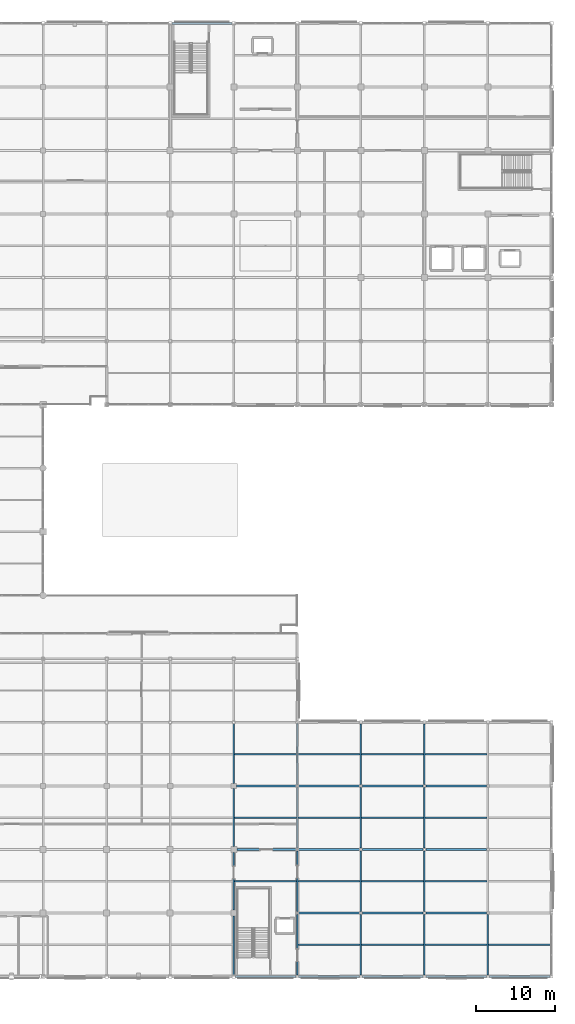
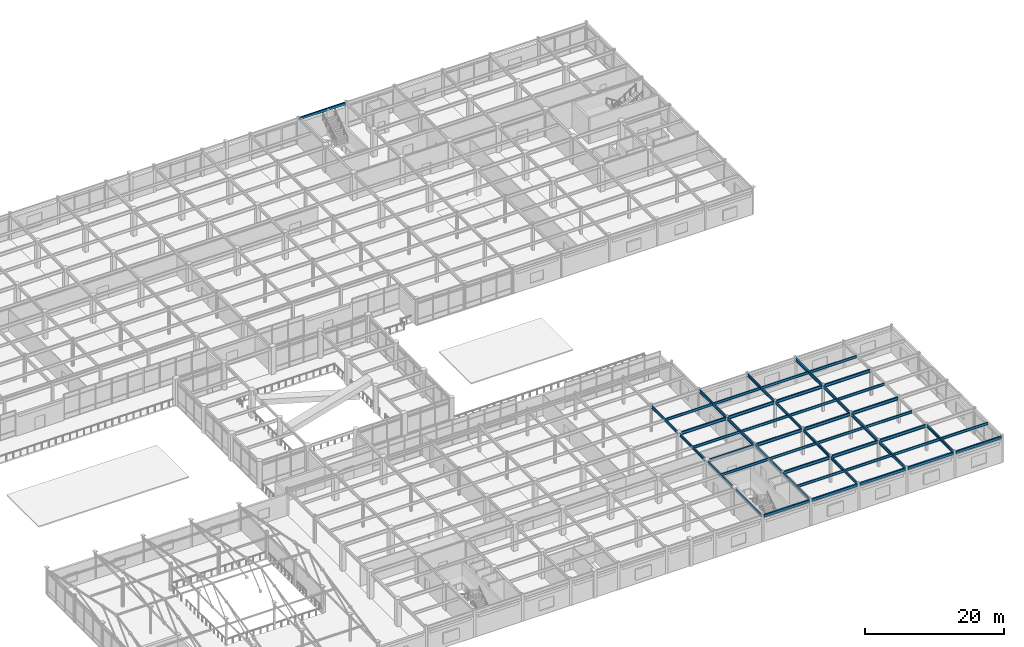
# One storey, part 67 of 117: 50 beams.
"""IFC4 building model written with IfcOpenShell, lengths in metres."""

import ifcopenshell
import ifcopenshell.guid

model = None  # the IFC model being written
_history = None  # IfcOwnerHistory: only IFC2X3 demands one
_inside = {}  # id of a spatial element -> (the spatial element, [elements in it])
_under = {}  # id of a project, library or spatial element -> (it, [spatial elements below it])
_declared = {}  # id of a project -> (the project, [libraries it declares])
_typed = {}  # id of a type object -> (the type object, [elements of that type])
_made_of = {}  # id of a material, layer set ... -> (it, [elements and type objects made of it])


def new_model(schema):
    """Start an empty IFC model of exactly this schema.

    Asked for "IFC4X3", IfcOpenShell would pick the latest addendum, in which some entities
    have other attributes; the version numbers below select the first issue.
    IFC2X3 requires an IfcOwnerHistory on every rooted entity: one is made here for all.
    """
    global model, _history
    if schema == "IFC4X3":
        model = ifcopenshell.file(schema_version=(4, 3, 0, 0))
    else:
        model = ifcopenshell.file(schema=schema)
    _inside.clear()
    _under.clear()
    _declared.clear()
    _typed.clear()
    _made_of.clear()
    _history = None
    if model.schema == "IFC2X3":
        org = make("IfcOrganization", Name="unknown")
        user = make(
            "IfcPersonAndOrganization",
            ThePerson=make("IfcPerson", FamilyName="unknown"),
            TheOrganization=org,
        )
        app = make(
            "IfcApplication",
            ApplicationDeveloper=org,
            Version="unknown",
            ApplicationFullName="unknown",
            ApplicationIdentifier="unknown",
        )
        _history = make(
            "IfcOwnerHistory",
            OwningUser=user,
            OwningApplication=app,
            ChangeAction="ADDED",
            CreationDate=0,
        )
    return model


def make(cls, **values):
    """One entity of the class cls with the attributes given. An attribute that is None is left unset."""
    return model.create_entity(
        cls, **{name: value for name, value in values.items() if value is not None}
    )


def rooted(cls, **values):
    """An entity with a GlobalId (a new one), such as an element, a storey or a relation."""
    return make(cls, GlobalId=ifcopenshell.guid.new(), OwnerHistory=_history, **values)


def si_unit(unit_type, name, prefix=None):
    """IfcSIUnit, for example si_unit("LENGTHUNIT", "METRE", prefix="MILLI")."""
    return make("IfcSIUnit", UnitType=unit_type, Prefix=prefix, Name=name)


def assignment(units):
    """IfcUnitAssignment: the units of a project."""
    return None if units is None else make("IfcUnitAssignment", Units=units)


def point(xyz):
    """IfcCartesianPoint."""
    return None if xyz is None else make("IfcCartesianPoint", Coordinates=xyz)


def direction(xyz):
    """IfcDirection."""
    return None if xyz is None else make("IfcDirection", DirectionRatios=xyz)


def frame(location, z_axis=None, x_axis=None):
    """IfcAxis2Placement3D, a coordinate frame: its origin and axes. An axis left out is left unset."""
    return make(
        "IfcAxis2Placement3D",
        Location=point(location),
        Axis=direction(z_axis),
        RefDirection=direction(x_axis),
    )


def frame_2d(location, x_axis=None):
    """IfcAxis2Placement2D, a coordinate frame in the plane: its origin and x axis."""
    return make(
        "IfcAxis2Placement2D", Location=point(location), RefDirection=direction(x_axis)
    )


def origin():
    """The frame at (0, 0, 0) with its axes left unset."""
    return frame((0.0, 0.0, 0.0))


def origin_2d():
    """The frame at (0, 0) in the plane with its x axis left unset."""
    return frame_2d((0.0, 0.0))


def place(relative_to, where):
    """IfcLocalPlacement: puts the frame where relative to a parent placement (None: the world)."""
    return make(
        "IfcLocalPlacement", PlacementRelTo=relative_to, RelativePlacement=where
    )


def context(
    kind, dimensions, precision=None, world=None, true_north=None, identifier=None
):
    """IfcGeometricRepresentationContext, for example the 3D "Model" context."""
    return make(
        "IfcGeometricRepresentationContext",
        ContextIdentifier=identifier,
        ContextType=kind,
        CoordinateSpaceDimension=dimensions,
        Precision=precision,
        WorldCoordinateSystem=world,
        TrueNorth=true_north,
    )


def subcontext(parent, identifier, kind, view, scale=None):
    """IfcGeometricRepresentationSubContext, for example "Body" below "Model"."""
    return make(
        "IfcGeometricRepresentationSubContext",
        ContextIdentifier=identifier,
        ContextType=kind,
        ParentContext=parent,
        TargetScale=scale,
        TargetView=view,
    )


def project(units=None, contexts=None):
    """IfcProject with its units and contexts."""
    return rooted(
        "IfcProject",
        Name="project",
        RepresentationContexts=contexts,
        UnitsInContext=assignment(units),
    )


def spatial(cls, under=None, at=None, **own):
    """A site, building, storey or space (cls), placed at a placement, below another one or the project."""
    s = rooted(cls, ObjectPlacement=at, **own)
    if under is not None:
        _under.setdefault(under.id(), (under, []))[1].append(s)
    return s


def profile(cls, at=None, kind="AREA", **sizes):
    """A parametric profile (cls). Its sizes go by their IFC names, for example OverallWidth=200.0."""
    return make(cls, ProfileType=kind, Position=at, **sizes)


def hollow_rectangle(**sizes):
    """IfcRectangleHollowProfileDef."""
    return profile("IfcRectangleHollowProfileDef", **sizes)


def i_section(**sizes):
    """IfcIShapeProfileDef."""
    return profile("IfcIShapeProfileDef", **sizes)


def extrude(swept, where, along, depth):
    """IfcExtrudedAreaSolid: the profile swept, set in the frame where, extruded along a direction by depth."""
    return make(
        "IfcExtrudedAreaSolid",
        SweptArea=swept,
        Position=where,
        ExtrudedDirection=direction(along),
        Depth=depth,
    )


def shape(context_of_items, identifier, shape_type, items):
    """IfcShapeRepresentation: the items that make up one representation, for example the "Body"."""
    return make(
        "IfcShapeRepresentation",
        ContextOfItems=context_of_items,
        RepresentationIdentifier=identifier,
        RepresentationType=shape_type,
        Items=items,
    )


def material(Name=None, Category=None):
    """IfcMaterial."""
    return make("IfcMaterial", Name=Name, Category=Category)


def material_profile(
    of_material, cross_section, Name=None, Category=None, Priority=None
):
    """IfcMaterialProfile: a cross section and its material."""
    return make(
        "IfcMaterialProfile",
        Name=Name,
        Material=of_material,
        Profile=cross_section,
        Priority=Priority,
        Category=Category,
    )


def profile_set(profiles, Name=None, composite=None):
    """IfcMaterialProfileSet."""
    return make(
        "IfcMaterialProfileSet",
        Name=Name,
        MaterialProfiles=profiles,
        CompositeProfile=composite,
    )


def made_of(thing, what):
    """Note that an element or type object is made of a material, layer set ...; save() writes the relation."""
    if what is not None:
        _made_of.setdefault(what.id(), (what, []))[1].append(thing)
    return thing


def type_object(cls, material=None, **own):
    """A type object (cls), such as IfcWallType, which elements share."""
    return made_of(rooted(cls, **own), material)


def element(
    cls,
    number,
    at=None,
    inside=None,
    cuts=None,
    type_object=None,
    material=None,
    context=None,
    identifier="Body",
    shape_type=None,
    held_by="IfcProductDefinitionShape",
    body=None,
    shapes=None,
    **own,
):
    """One element of the class cls, such as IfcWall. Its Tag is "e" and its number.

    at: its placement. inside: the storey or other place that contains it. cuts: it is an
    opening in that element (IfcRelVoidsElement). A single representation is given by context,
    identifier, shape_type and body (its items); several are given by shapes. held_by: the class
    of the entity that holds the representations. save() writes the other relations.
    """
    e = rooted(cls, Tag="e%d" % number, ObjectPlacement=at, **own)
    if body is not None:
        shapes = [shape(context, identifier, shape_type, body)]
    if shapes is not None:
        e.Representation = make(held_by, Representations=shapes)
    if inside is not None:
        _inside.setdefault(inside.id(), (inside, []))[1].append(e)
    if cuts is not None:
        rooted(
            "IfcRelVoidsElement", RelatingBuildingElement=cuts, RelatedOpeningElement=e
        )
    if type_object is not None:
        _typed.setdefault(type_object.id(), (type_object, []))[1].append(e)
    return made_of(e, material)


def aggregate(whole, parts):
    """IfcRelAggregates: a whole, such as a stair, and the parts it consists of."""
    return rooted("IfcRelAggregates", RelatingObject=whole, RelatedObjects=parts)


def save(model, path):
    """Write the relations noted so far, then the file.

    IfcRelAggregates (storeys below a building ...), IfcRelContainedInSpatialStructure (elements
    in a storey), IfcRelDefinesByType, IfcRelAssociatesMaterial and IfcRelDeclares: one each for
    every whole, place, type object, material and project.
    """
    for whole, parts in _under.values():
        aggregate(whole, parts)
    for where, things in _inside.values():
        rooted(
            "IfcRelContainedInSpatialStructure",
            RelatedElements=things,
            RelatingStructure=where,
        )
    for kind, things in _typed.values():
        rooted("IfcRelDefinesByType", RelatedObjects=things, RelatingType=kind)
    for what, things in _made_of.values():
        rooted("IfcRelAssociatesMaterial", RelatedObjects=things, RelatingMaterial=what)
    for by, libraries in _declared.values():
        rooted("IfcRelDeclares", RelatingContext=by, RelatedDefinitions=libraries)
    model.write(path)


model = new_model("IFC4")

# Units and contexts
model_context = context("Model", 3, precision=1e-05, world=origin(), true_north=direction((0.0, 1.0)))
body_context = subcontext(model_context, "Body", "Model", "MODEL_VIEW")
ifc_project = project(units=[si_unit("LENGTHUNIT", "METRE"), si_unit("AREAUNIT", "SQUARE_METRE"), si_unit("VOLUMEUNIT", "CUBIC_METRE"), si_unit("PLANEANGLEUNIT", "RADIAN"), si_unit("MASSUNIT", "GRAM", prefix="KILO")], contexts=[model_context])

# Site, building, storey
site_placement = place(None, origin())
site = spatial("IfcSite", under=ifc_project, at=site_placement, CompositionType="ELEMENT")
building_placement = place(site_placement, origin())
building = spatial("IfcBuilding", under=site, at=building_placement, Name="Solmirada Galleria", CompositionType="ELEMENT")
storey_placement = place(building_placement, frame((0.0, 0.0, 5.60009765625)))
storey = spatial("IfcBuildingStorey", under=building, at=storey_placement, Name="L01", CompositionType="ELEMENT", Elevation=5.60009765625)

# Beams
ifc_material_1 = material(Name="Steel S355 / ASTM A992 Grade 50", Category="steel")
ifc_material_profile_1 = material_profile(ifc_material_1, i_section(OverallWidth=0.194091796875, OverallDepth=0.468994140625, WebThickness=0.0126953125, FlangeThickness=0.0205078125, FilletRadius=0.013916015625, at=origin_2d()), Name="W18X71")
ifc_profile_set_1 = profile_set([ifc_material_profile_1], Name="Steel S355 / ASTM A992 Grade 50")
beam_type_1 = type_object("IfcBeamType", Name="BM-GIRD-W18B", PredefinedType="BEAM", material=ifc_profile_set_1)
beam_1_placement = place(storey_placement, frame((136.0, 0.202880859375, 4.365478515625), z_axis=(0.0, 1.0, 0.0), x_axis=(-1.0, 0.0, 0.0)))
element("IfcBeam", 1, at=beam_1_placement, inside=storey, type_object=beam_type_1, Name="Primary girder L02 Y(136, 0..8)", PredefinedType="BEAM", context=body_context, shape_type="SweptSolid", body=[
    extrude(i_section(OverallWidth=0.194091796875, OverallDepth=0.468994140625, WebThickness=0.0126953125, FlangeThickness=0.0205078125, FilletRadius=0.013916015625, at=origin_2d()), origin(), (0.0, 0.0, 1.0), 7.422119140625),
])
beam_2_placement = place(storey_placement, frame((136.0, 8.375, 4.365478515625), z_axis=(0.0, 1.0, 0.0), x_axis=(-1.0, 0.0, 0.0)))
element("IfcBeam", 2, at=beam_2_placement, inside=storey, type_object=beam_type_1, Name="Primary girder L02 Y(136, 8..16)", PredefinedType="BEAM", context=body_context, shape_type="SweptSolid", body=[
    extrude(i_section(OverallWidth=0.194091796875, OverallDepth=0.468994140625, WebThickness=0.0126953125, FlangeThickness=0.0205078125, FilletRadius=0.013916015625, at=origin_2d()), origin(), (0.0, 0.0, 1.0), 7.25),
])
beam_3_placement = place(storey_placement, frame((136.0, 16.375, 4.365478515625), z_axis=(0.0, 1.0, 0.0), x_axis=(-1.0, 0.0, 0.0)))
element("IfcBeam", 3, at=beam_3_placement, inside=storey, type_object=beam_type_1, Name="Primary girder L02 Y(136, 16..24)", PredefinedType="BEAM", context=body_context, shape_type="SweptSolid", body=[
    extrude(i_section(OverallWidth=0.194091796875, OverallDepth=0.468994140625, WebThickness=0.0126953125, FlangeThickness=0.0205078125, FilletRadius=0.013916015625, at=origin_2d()), origin(), (0.0, 0.0, 1.0), 7.300048828125),
])
beam_4_placement = place(storey_placement, frame((136.0, 24.324951171875, 4.365478515625), z_axis=(0.0, 1.0, 0.0), x_axis=(-1.0, 0.0, 0.0)))
element("IfcBeam", 4, at=beam_4_placement, inside=storey, type_object=beam_type_1, Name="Primary girder L02 Y(136, 24..32)", PredefinedType="BEAM", context=body_context, shape_type="SweptSolid", body=[
    extrude(i_section(OverallWidth=0.194091796875, OverallDepth=0.468994140625, WebThickness=0.0126953125, FlangeThickness=0.0205078125, FilletRadius=0.013916015625, at=origin_2d()), origin(), (0.0, 0.0, 1.0), 7.504638671875),
])
for number, where, z_axis, x_axis, name in (
    (5, (152.0, 0.177978515625, 4.365478515625), (0.0, 1.0, 0.0), (-1.0, 0.0, 0.0), "Primary girder L02 Y(152, 0..8)"),
    (6, (152.0, 8.177978515625, 4.365478515625), (0.0, 1.0, 0.0), (-1.0, 0.0, 0.0), "Primary girder L02 Y(152, 8..16)"),
    (7, (152.0, 16.177978515625, 4.365478515625), (0.0, 1.0, 0.0), (-1.0, 0.0, 0.0), "Primary girder L02 Y(152, 16..24)"),
    (8, (152.0, 24.177978515625, 4.365478515625), (0.0, 1.0, 0.0), (-1.0, 0.0, 0.0), "Primary girder L02 Y(152, 24..32)"),
    (9, (168.0, 0.177978515625, 4.365478515625), (0.0, 1.0, 0.0), (-1.0, 0.0, 0.0), "Primary girder L02 Y(168, 0..8)"),
):
    element("IfcBeam", number, at=place(storey_placement, frame(where, z_axis=z_axis, x_axis=x_axis)), inside=storey, type_object=beam_type_1, Name=name, PredefinedType="BEAM", context=body_context, shape_type="SweptSolid", body=[
        extrude(i_section(OverallWidth=0.194091796875, OverallDepth=0.468994140625, WebThickness=0.0126953125, FlangeThickness=0.0205078125, FilletRadius=0.013916015625, at=origin_2d()), origin(), (0.0, 0.0, 1.0), 7.64404296875),
    ])
ifc_material_profile_2 = material_profile(ifc_material_1, i_section(OverallWidth=0.214111328125, OverallDepth=0.549072265625, WebThickness=0.0146484375, FlangeThickness=0.023681640625, FilletRadius=0.014892578125, at=origin_2d()), Name="W21X93")
ifc_profile_set_2 = profile_set([ifc_material_profile_2], Name="Steel S355 / ASTM A992 Grade 50")
beam_type_2 = type_object("IfcBeamType", Name="BM-GIRD-W21A", PredefinedType="BEAM", material=ifc_profile_set_2)
beam_5_placement = place(storey_placement, frame((136.375, 16.0, 4.325439453125), z_axis=(1.0, 0.0, 0.0), x_axis=(0.0, 1.0, 0.0)))
element("IfcBeam", 10, at=beam_5_placement, inside=storey, type_object=beam_type_2, Name="Primary beam L02 X(136..144, 16)", PredefinedType="BEAM", context=body_context, shape_type="SweptSolid", body=[
    extrude(i_section(OverallWidth=0.214111328125, OverallDepth=0.549072265625, WebThickness=0.0146484375, FlangeThickness=0.023681640625, FilletRadius=0.014892578125, at=origin_2d()), origin(), (0.0, 0.0, 1.0), 7.447021484375),
])
for number, where, z_axis, x_axis, name in (
    (11, (144.177978515625, 16.0, 4.325439453125), (1.0, 0.0, 0.0), (0.0, 1.0, 0.0), "Primary beam L02 X(144..152, 16)"),
    (12, (152.177978515625, 16.0, 4.325439453125), (1.0, 0.0, 0.0), (0.0, 1.0, 0.0), "Primary beam L02 X(152..160, 16)"),
    (13, (160.177978515625, 16.0, 4.325439453125), (1.0, 0.0, 0.0), (0.0, 1.0, 0.0), "Primary beam L02 X(160..168, 16)"),
):
    element("IfcBeam", number, at=place(storey_placement, frame(where, z_axis=z_axis, x_axis=x_axis)), inside=storey, type_object=beam_type_2, Name=name, PredefinedType="BEAM", context=body_context, shape_type="SweptSolid", body=[
        extrude(i_section(OverallWidth=0.214111328125, OverallDepth=0.549072265625, WebThickness=0.0146484375, FlangeThickness=0.023681640625, FilletRadius=0.014892578125, at=origin_2d()), origin(), (0.0, 0.0, 1.0), 7.64404296875),
    ])
ifc_material_profile_3 = material_profile(ifc_material_1, i_section(OverallWidth=0.2099609375, OverallDepth=0.537109375, WebThickness=0.010986328125, FlangeThickness=0.017333984375, FilletRadius=0.014892578125, at=origin_2d()), Name="W21X68")
ifc_profile_set_3 = profile_set([ifc_material_profile_3], Name="Steel S355 / ASTM A992 Grade 50")
beam_type_3 = type_object("IfcBeamType", Name="BM-GIRD-W21B", PredefinedType="BEAM", material=ifc_profile_set_3)
beam_6_placement = place(storey_placement, frame((136.324951171875, 24.0, 4.331298828125), z_axis=(1.0, 0.0, 0.0), x_axis=(0.0, 1.0, 0.0)))
element("IfcBeam", 14, at=beam_6_placement, inside=storey, type_object=beam_type_3, Name="Primary beam L02 X(136..144, 24)", PredefinedType="BEAM", context=body_context, shape_type="SweptSolid", body=[
    extrude(i_section(OverallWidth=0.2099609375, OverallDepth=0.537109375, WebThickness=0.010986328125, FlangeThickness=0.017333984375, FilletRadius=0.014892578125, at=origin_2d()), origin(), (0.0, 0.0, 1.0), 7.4970703125),
])
for number, where, z_axis, x_axis, name in (
    (15, (144.177978515625, 8.0, 4.331298828125), (1.0, 0.0, 0.0), (0.0, 1.0, 0.0), "Primary beam L02 X(144..152, 8)"),
    (16, (144.177978515625, 24.0, 4.331298828125), (1.0, 0.0, 0.0), (0.0, 1.0, 0.0), "Primary beam L02 X(144..152, 24)"),
    (17, (152.177978515625, 8.0, 4.331298828125), (1.0, 0.0, 0.0), (0.0, 1.0, 0.0), "Primary beam L02 X(152..160, 8)"),
    (18, (152.177978515625, 24.0, 4.331298828125), (1.0, 0.0, 0.0), (0.0, 1.0, 0.0), "Primary beam L02 X(152..160, 24)"),
    (19, (160.177978515625, 8.0, 4.331298828125), (1.0, 0.0, 0.0), (0.0, 1.0, 0.0), "Primary beam L02 X(160..168, 8)"),
    (20, (160.177978515625, 24.0, 4.331298828125), (1.0, 0.0, 0.0), (0.0, 1.0, 0.0), "Primary beam L02 X(160..168, 24)"),
    (21, (144.0, 0.177978515625, 4.331298828125), (0.0, 1.0, 0.0), (-1.0, 0.0, 0.0), "Primary girder L02 Y(144, 0..8)"),
    (22, (144.0, 8.177978515625, 4.331298828125), (0.0, 1.0, 0.0), (-1.0, 0.0, 0.0), "Primary girder L02 Y(144, 8..16)"),
    (23, (144.0, 16.177978515625, 4.331298828125), (0.0, 1.0, 0.0), (-1.0, 0.0, 0.0), "Primary girder L02 Y(144, 16..24)"),
):
    element("IfcBeam", number, at=place(storey_placement, frame(where, z_axis=z_axis, x_axis=x_axis)), inside=storey, type_object=beam_type_3, Name=name, PredefinedType="BEAM", context=body_context, shape_type="SweptSolid", body=[
        extrude(i_section(OverallWidth=0.2099609375, OverallDepth=0.537109375, WebThickness=0.010986328125, FlangeThickness=0.017333984375, FilletRadius=0.014892578125, at=origin_2d()), origin(), (0.0, 0.0, 1.0), 7.64404296875),
    ])
beam_7_placement = place(storey_placement, frame((144.0, 24.177978515625, 4.331298828125), z_axis=(0.0, 1.0, 0.0), x_axis=(-1.0, 0.0, 0.0)))
element("IfcBeam", 24, at=beam_7_placement, inside=storey, type_object=beam_type_3, Name="Primary girder L02 Y(144, 24..32)", PredefinedType="BEAM", context=body_context, shape_type="SweptSolid", body=[
    extrude(i_section(OverallWidth=0.2099609375, OverallDepth=0.537109375, WebThickness=0.010986328125, FlangeThickness=0.017333984375, FilletRadius=0.014892578125, at=origin_2d()), origin(), (0.0, 0.0, 1.0), 7.651611328125),
])
for number, where, z_axis, x_axis, name in (
    (25, (160.0, 0.177978515625, 4.331298828125), (0.0, 1.0, 0.0), (-1.0, 0.0, 0.0), "Primary girder L02 Y(160, 0..8)"),
    (26, (160.0, 8.177978515625, 4.331298828125), (0.0, 1.0, 0.0), (-1.0, 0.0, 0.0), "Primary girder L02 Y(160, 8..16)"),
    (27, (160.0, 16.177978515625, 4.331298828125), (0.0, 1.0, 0.0), (-1.0, 0.0, 0.0), "Primary girder L02 Y(160, 16..24)"),
    (28, (160.0, 24.177978515625, 4.331298828125), (0.0, 1.0, 0.0), (-1.0, 0.0, 0.0), "Primary girder L02 Y(160, 24..32)"),
):
    element("IfcBeam", number, at=place(storey_placement, frame(where, z_axis=z_axis, x_axis=x_axis)), inside=storey, type_object=beam_type_3, Name=name, PredefinedType="BEAM", context=body_context, shape_type="SweptSolid", body=[
        extrude(i_section(OverallWidth=0.2099609375, OverallDepth=0.537109375, WebThickness=0.010986328125, FlangeThickness=0.017333984375, FilletRadius=0.014892578125, at=origin_2d()), origin(), (0.0, 0.0, 1.0), 7.64404296875),
    ])
ifc_material_profile_4 = material_profile(ifc_material_1, i_section(OverallWidth=0.152099609375, OverallDepth=0.449951171875, WebThickness=0.007568359375, FlangeThickness=0.0107421875, FilletRadius=0.011962890625, at=origin_2d()), Name="W18X35")
ifc_profile_set_4 = profile_set([ifc_material_profile_4], Name="Steel S355 / ASTM A992 Grade 50")
beam_type_4 = type_object("IfcBeamType", Name="BM-JST-W18B", PredefinedType="JOIST", material=ifc_profile_set_4)
for number, where, z_axis, x_axis, name in (
    (29, (136.096923828125, 12.0, 4.375), (1.0, 0.0, 0.0), (0.0, 1.0, 0.0), "Composite floor joist L02 (136..144, 12.0)"),
    (30, (136.096923828125, 20.0, 4.375), (1.0, 0.0, 0.0), (0.0, 1.0, 0.0), "Composite floor joist L02 (136..144, 20.0)"),
    (31, (136.096923828125, 28.0, 4.375), (1.0, 0.0, 0.0), (0.0, 1.0, 0.0), "Composite floor joist L02 (136..144, 28.0)"),
    (32, (144.10498046875, 4.0, 4.375), (1.0, 0.0, 0.0), (0.0, 1.0, 0.0), "Composite floor joist L02 (144..152, 4.0)"),
    (33, (144.10498046875, 12.0, 4.375), (1.0, 0.0, 0.0), (0.0, 1.0, 0.0), "Composite floor joist L02 (144..152, 12.0)"),
    (34, (144.10498046875, 20.0, 4.375), (1.0, 0.0, 0.0), (0.0, 1.0, 0.0), "Composite floor joist L02 (144..152, 20.0)"),
    (35, (144.10498046875, 28.0, 4.375), (1.0, 0.0, 0.0), (0.0, 1.0, 0.0), "Composite floor joist L02 (144..152, 28.0)"),
    (36, (152.096923828125, 4.0, 4.375), (1.0, 0.0, 0.0), (0.0, 1.0, 0.0), "Composite floor joist L02 (152..160, 4.0)"),
    (37, (152.096923828125, 12.0, 4.375), (1.0, 0.0, 0.0), (0.0, 1.0, 0.0), "Composite floor joist L02 (152..160, 12.0)"),
    (38, (152.096923828125, 20.0, 4.375), (1.0, 0.0, 0.0), (0.0, 1.0, 0.0), "Composite floor joist L02 (152..160, 20.0)"),
    (39, (152.096923828125, 28.0, 4.375), (1.0, 0.0, 0.0), (0.0, 1.0, 0.0), "Composite floor joist L02 (152..160, 28.0)"),
    (40, (160.10498046875, 4.0, 4.375), (1.0, 0.0, 0.0), (0.0, 1.0, 0.0), "Composite floor joist L02 (160..168, 4.0)"),
    (41, (160.10498046875, 12.0, 4.375), (1.0, 0.0, 0.0), (0.0, 1.0, 0.0), "Composite floor joist L02 (160..168, 12.0)"),
    (42, (160.10498046875, 20.0, 4.375), (1.0, 0.0, 0.0), (0.0, 1.0, 0.0), "Composite floor joist L02 (160..168, 20.0)"),
    (43, (160.10498046875, 28.0, 4.375), (1.0, 0.0, 0.0), (0.0, 1.0, 0.0), "Composite floor joist L02 (160..168, 28.0)"),
):
    element("IfcBeam", number, at=place(storey_placement, frame(where, z_axis=z_axis, x_axis=x_axis)), inside=storey, type_object=beam_type_4, Name=name, PredefinedType="JOIST", context=body_context, shape_type="SweptSolid", body=[
        extrude(i_section(OverallWidth=0.152099609375, OverallDepth=0.449951171875, WebThickness=0.007568359375, FlangeThickness=0.0107421875, FilletRadius=0.011962890625, at=origin_2d()), origin(), (0.0, 0.0, 1.0), 7.798095703125),
    ])
beam_8_placement = place(storey_placement, frame((168.096923828125, 4.0, 4.375), z_axis=(1.0, 0.0, 0.0), x_axis=(0.0, 1.0, 0.0)))
element("IfcBeam", 44, at=beam_8_placement, inside=storey, type_object=beam_type_4, Name="Composite floor joist L02 (168..176, 4.0)", PredefinedType="JOIST", context=body_context, shape_type="SweptSolid", body=[
    extrude(i_section(OverallWidth=0.152099609375, OverallDepth=0.449951171875, WebThickness=0.007568359375, FlangeThickness=0.0107421875, FilletRadius=0.011962890625, at=origin_2d()), origin(), (0.0, 0.0, 1.0), 7.776123046875),
])
ifc_material_2 = material(Name="Steel S355 / ASTM A500 Grade C", Category="steel")
ifc_material_profile_5 = material_profile(ifc_material_2, hollow_rectangle(XDim=0.25390625, YDim=0.45703125, WallThickness=0.01171875, InnerFilletRadius=0.01171875, OuterFilletRadius=0.023681640625, at=origin_2d()), Name="HSS18X10X1/2")
ifc_profile_set_5 = profile_set([ifc_material_profile_5], Name="Steel S355 / ASTM A500 Grade C")
beam_type_5 = type_object("IfcBeamType", Name="BM-SPAND-W18", PredefinedType="SPANDREL", material=ifc_profile_set_5)
beam_9_placement = place(storey_placement, frame((128.202880859375, 120.0, 4.371337890625), z_axis=(1.0, 0.0, 0.0), x_axis=(0.0, 1.0, 0.0)))
element("IfcBeam", 45, at=beam_9_placement, inside=storey, type_object=beam_type_5, Name="Primary beam L02 X(128..136, 120)", PredefinedType="SPANDREL", context=body_context, shape_type="SweptSolid", body=[
    extrude(hollow_rectangle(XDim=0.25390625, YDim=0.45703125, WallThickness=0.01171875, InnerFilletRadius=0.01171875, OuterFilletRadius=0.023681640625, at=origin_2d()), origin(), (0.0, 0.0, 1.0), 7.59423828125),
])
beam_10_placement = place(storey_placement, frame((136.202880859375, 0.0, 4.371337890625), z_axis=(1.0, 0.0, 0.0), x_axis=(0.0, 1.0, 0.0)))
element("IfcBeam", 46, at=beam_10_placement, inside=storey, type_object=beam_type_5, Name="Primary beam L02 X(136..144, 0)", PredefinedType="SPANDREL", context=body_context, shape_type="SweptSolid", body=[
    extrude(hollow_rectangle(XDim=0.25390625, YDim=0.45703125, WallThickness=0.01171875, InnerFilletRadius=0.01171875, OuterFilletRadius=0.023681640625, at=origin_2d()), origin(), (0.0, 0.0, 1.0), 7.619140625),
])
for number, where, z_axis, x_axis, name in (
    (47, (144.177978515625, 0.0, 4.371337890625), (1.0, 0.0, 0.0), (0.0, 1.0, 0.0), "Primary beam L02 X(144..152, 0)"),
    (48, (152.177978515625, 0.0, 4.371337890625), (1.0, 0.0, 0.0), (0.0, 1.0, 0.0), "Primary beam L02 X(152..160, 0)"),
    (49, (160.177978515625, 0.0, 4.371337890625), (1.0, 0.0, 0.0), (0.0, 1.0, 0.0), "Primary beam L02 X(160..168, 0)"),
    (50, (168.177978515625, 0.0, 4.371337890625), (1.0, 0.0, 0.0), (0.0, 1.0, 0.0), "Primary beam L02 X(168..176, 0)"),
):
    element("IfcBeam", number, at=place(storey_placement, frame(where, z_axis=z_axis, x_axis=x_axis)), inside=storey, type_object=beam_type_5, Name=name, PredefinedType="SPANDREL", context=body_context, shape_type="SweptSolid", body=[
        extrude(hollow_rectangle(XDim=0.25390625, YDim=0.45703125, WallThickness=0.01171875, InnerFilletRadius=0.01171875, OuterFilletRadius=0.023681640625, at=origin_2d()), origin(), (0.0, 0.0, 1.0), 7.64404296875),
    ])

save(model, "model.ifc")
